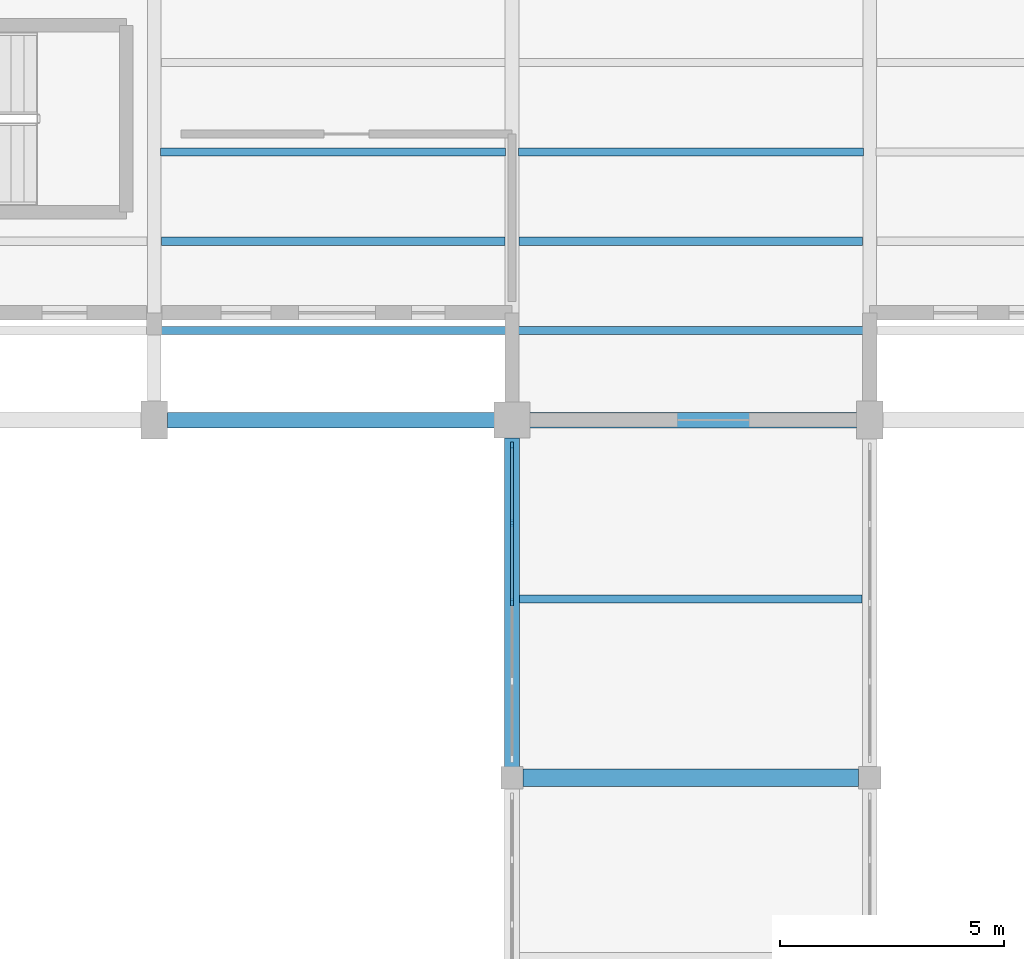
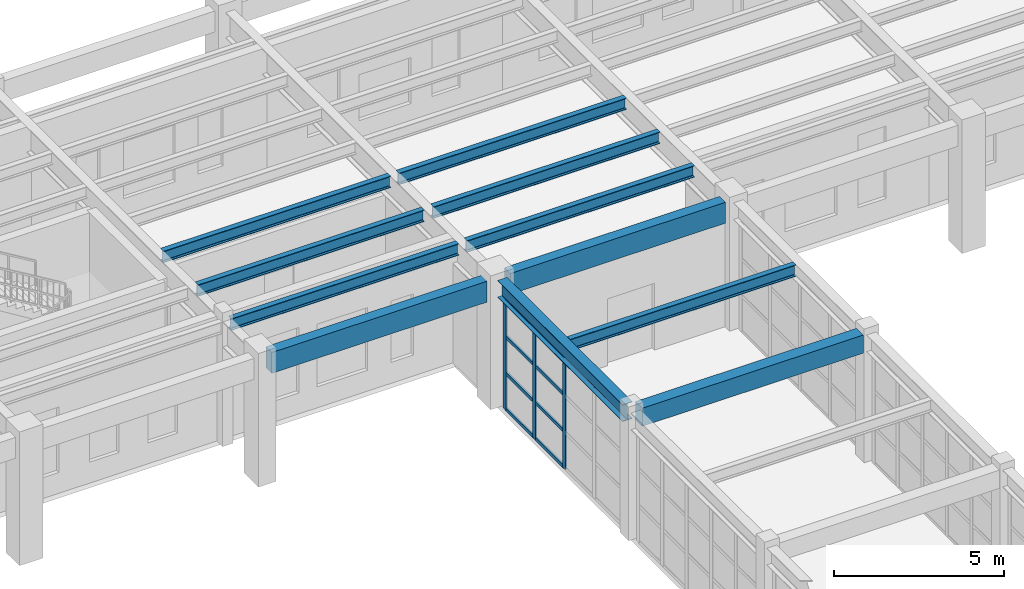
# One storey, part 15 of 59: 11 beams, 11 members, 1 element without a shape of its own.
"""IFC4 building model written with IfcOpenShell, lengths in metres."""

import ifcopenshell
import ifcopenshell.guid

model = None  # the IFC model being written
_history = None  # IfcOwnerHistory: only IFC2X3 demands one
_inside = {}  # id of a spatial element -> (the spatial element, [elements in it])
_under = {}  # id of a project, library or spatial element -> (it, [spatial elements below it])
_declared = {}  # id of a project -> (the project, [libraries it declares])
_typed = {}  # id of a type object -> (the type object, [elements of that type])
_made_of = {}  # id of a material, layer set ... -> (it, [elements and type objects made of it])


def new_model(schema):
    """Start an empty IFC model of exactly this schema.

    Asked for "IFC4X3", IfcOpenShell would pick the latest addendum, in which some entities
    have other attributes; the version numbers below select the first issue.
    IFC2X3 requires an IfcOwnerHistory on every rooted entity: one is made here for all.
    """
    global model, _history
    if schema == "IFC4X3":
        model = ifcopenshell.file(schema_version=(4, 3, 0, 0))
    else:
        model = ifcopenshell.file(schema=schema)
    _inside.clear()
    _under.clear()
    _declared.clear()
    _typed.clear()
    _made_of.clear()
    _history = None
    if model.schema == "IFC2X3":
        org = make("IfcOrganization", Name="unknown")
        user = make(
            "IfcPersonAndOrganization",
            ThePerson=make("IfcPerson", FamilyName="unknown"),
            TheOrganization=org,
        )
        app = make(
            "IfcApplication",
            ApplicationDeveloper=org,
            Version="unknown",
            ApplicationFullName="unknown",
            ApplicationIdentifier="unknown",
        )
        _history = make(
            "IfcOwnerHistory",
            OwningUser=user,
            OwningApplication=app,
            ChangeAction="ADDED",
            CreationDate=0,
        )
    return model


def make(cls, **values):
    """One entity of the class cls with the attributes given. An attribute that is None is left unset."""
    return model.create_entity(
        cls, **{name: value for name, value in values.items() if value is not None}
    )


def rooted(cls, **values):
    """An entity with a GlobalId (a new one), such as an element, a storey or a relation."""
    return make(cls, GlobalId=ifcopenshell.guid.new(), OwnerHistory=_history, **values)


def si_unit(unit_type, name, prefix=None):
    """IfcSIUnit, for example si_unit("LENGTHUNIT", "METRE", prefix="MILLI")."""
    return make("IfcSIUnit", UnitType=unit_type, Prefix=prefix, Name=name)


def assignment(units):
    """IfcUnitAssignment: the units of a project."""
    return None if units is None else make("IfcUnitAssignment", Units=units)


def point(xyz):
    """IfcCartesianPoint."""
    return None if xyz is None else make("IfcCartesianPoint", Coordinates=xyz)


def direction(xyz):
    """IfcDirection."""
    return None if xyz is None else make("IfcDirection", DirectionRatios=xyz)


def frame(location, z_axis=None, x_axis=None):
    """IfcAxis2Placement3D, a coordinate frame: its origin and axes. An axis left out is left unset."""
    return make(
        "IfcAxis2Placement3D",
        Location=point(location),
        Axis=direction(z_axis),
        RefDirection=direction(x_axis),
    )


def frame_2d(location, x_axis=None):
    """IfcAxis2Placement2D, a coordinate frame in the plane: its origin and x axis."""
    return make(
        "IfcAxis2Placement2D", Location=point(location), RefDirection=direction(x_axis)
    )


def origin():
    """The frame at (0, 0, 0) with its axes left unset."""
    return frame((0.0, 0.0, 0.0))


def origin_2d():
    """The frame at (0, 0) in the plane with its x axis left unset."""
    return frame_2d((0.0, 0.0))


def place(relative_to, where):
    """IfcLocalPlacement: puts the frame where relative to a parent placement (None: the world)."""
    return make(
        "IfcLocalPlacement", PlacementRelTo=relative_to, RelativePlacement=where
    )


def context(
    kind, dimensions, precision=None, world=None, true_north=None, identifier=None
):
    """IfcGeometricRepresentationContext, for example the 3D "Model" context."""
    return make(
        "IfcGeometricRepresentationContext",
        ContextIdentifier=identifier,
        ContextType=kind,
        CoordinateSpaceDimension=dimensions,
        Precision=precision,
        WorldCoordinateSystem=world,
        TrueNorth=true_north,
    )


def subcontext(parent, identifier, kind, view, scale=None):
    """IfcGeometricRepresentationSubContext, for example "Body" below "Model"."""
    return make(
        "IfcGeometricRepresentationSubContext",
        ContextIdentifier=identifier,
        ContextType=kind,
        ParentContext=parent,
        TargetScale=scale,
        TargetView=view,
    )


def project(units=None, contexts=None):
    """IfcProject with its units and contexts."""
    return rooted(
        "IfcProject",
        Name="project",
        RepresentationContexts=contexts,
        UnitsInContext=assignment(units),
    )


def spatial(cls, under=None, at=None, **own):
    """A site, building, storey or space (cls), placed at a placement, below another one or the project."""
    s = rooted(cls, ObjectPlacement=at, **own)
    if under is not None:
        _under.setdefault(under.id(), (under, []))[1].append(s)
    return s


def profile(cls, at=None, kind="AREA", **sizes):
    """A parametric profile (cls). Its sizes go by their IFC names, for example OverallWidth=200.0."""
    return make(cls, ProfileType=kind, Position=at, **sizes)


def rectangle(**sizes):
    """IfcRectangleProfileDef."""
    return profile("IfcRectangleProfileDef", **sizes)


def i_section(**sizes):
    """IfcIShapeProfileDef."""
    return profile("IfcIShapeProfileDef", **sizes)


def extrude(swept, where, along, depth):
    """IfcExtrudedAreaSolid: the profile swept, set in the frame where, extruded along a direction by depth."""
    return make(
        "IfcExtrudedAreaSolid",
        SweptArea=swept,
        Position=where,
        ExtrudedDirection=direction(along),
        Depth=depth,
    )


def shape(context_of_items, identifier, shape_type, items):
    """IfcShapeRepresentation: the items that make up one representation, for example the "Body"."""
    return make(
        "IfcShapeRepresentation",
        ContextOfItems=context_of_items,
        RepresentationIdentifier=identifier,
        RepresentationType=shape_type,
        Items=items,
    )


def material(Name=None, Category=None):
    """IfcMaterial."""
    return make("IfcMaterial", Name=Name, Category=Category)


def material_profile(
    of_material, cross_section, Name=None, Category=None, Priority=None
):
    """IfcMaterialProfile: a cross section and its material."""
    return make(
        "IfcMaterialProfile",
        Name=Name,
        Material=of_material,
        Profile=cross_section,
        Priority=Priority,
        Category=Category,
    )


def profile_set(profiles, Name=None, composite=None):
    """IfcMaterialProfileSet."""
    return make(
        "IfcMaterialProfileSet",
        Name=Name,
        MaterialProfiles=profiles,
        CompositeProfile=composite,
    )


def made_of(thing, what):
    """Note that an element or type object is made of a material, layer set ...; save() writes the relation."""
    if what is not None:
        _made_of.setdefault(what.id(), (what, []))[1].append(thing)
    return thing


def type_object(cls, material=None, **own):
    """A type object (cls), such as IfcWallType, which elements share."""
    return made_of(rooted(cls, **own), material)


def element(
    cls,
    number,
    at=None,
    inside=None,
    cuts=None,
    type_object=None,
    material=None,
    context=None,
    identifier="Body",
    shape_type=None,
    held_by="IfcProductDefinitionShape",
    body=None,
    shapes=None,
    **own,
):
    """One element of the class cls, such as IfcWall. Its Tag is "e" and its number.

    at: its placement. inside: the storey or other place that contains it. cuts: it is an
    opening in that element (IfcRelVoidsElement). A single representation is given by context,
    identifier, shape_type and body (its items); several are given by shapes. held_by: the class
    of the entity that holds the representations. save() writes the other relations.
    """
    e = rooted(cls, Tag="e%d" % number, ObjectPlacement=at, **own)
    if body is not None:
        shapes = [shape(context, identifier, shape_type, body)]
    if shapes is not None:
        e.Representation = make(held_by, Representations=shapes)
    if inside is not None:
        _inside.setdefault(inside.id(), (inside, []))[1].append(e)
    if cuts is not None:
        rooted(
            "IfcRelVoidsElement", RelatingBuildingElement=cuts, RelatedOpeningElement=e
        )
    if type_object is not None:
        _typed.setdefault(type_object.id(), (type_object, []))[1].append(e)
    return made_of(e, material)


def aggregate(whole, parts):
    """IfcRelAggregates: a whole, such as a stair, and the parts it consists of."""
    return rooted("IfcRelAggregates", RelatingObject=whole, RelatedObjects=parts)


def save(model, path):
    """Write the relations noted so far, then the file.

    IfcRelAggregates (storeys below a building ...), IfcRelContainedInSpatialStructure (elements
    in a storey), IfcRelDefinesByType, IfcRelAssociatesMaterial and IfcRelDeclares: one each for
    every whole, place, type object, material and project.
    """
    for whole, parts in _under.values():
        aggregate(whole, parts)
    for where, things in _inside.values():
        rooted(
            "IfcRelContainedInSpatialStructure",
            RelatedElements=things,
            RelatingStructure=where,
        )
    for kind, things in _typed.values():
        rooted("IfcRelDefinesByType", RelatedObjects=things, RelatingType=kind)
    for what, things in _made_of.values():
        rooted("IfcRelAssociatesMaterial", RelatedObjects=things, RelatingMaterial=what)
    for by, libraries in _declared.values():
        rooted("IfcRelDeclares", RelatingContext=by, RelatedDefinitions=libraries)
    model.write(path)


model = new_model("IFC4")

# Units and contexts
model_context = context("Model", 3, precision=1e-05, world=origin(), true_north=direction((0.0, 1.0)))
body_context = subcontext(model_context, "Body", "Model", "MODEL_VIEW")
ifc_project = project(units=[si_unit("LENGTHUNIT", "METRE"), si_unit("AREAUNIT", "SQUARE_METRE"), si_unit("VOLUMEUNIT", "CUBIC_METRE"), si_unit("PLANEANGLEUNIT", "RADIAN"), si_unit("MASSUNIT", "GRAM", prefix="KILO")], contexts=[model_context])

# Site, building, storey
site_placement = place(None, origin())
site = spatial("IfcSite", under=ifc_project, at=site_placement, CompositionType="ELEMENT")
building_placement = place(site_placement, origin())
building = spatial("IfcBuilding", under=site, at=building_placement, Name="Serraluz Foothill Cableway Terminal", CompositionType="ELEMENT")
storey_placement = place(building_placement, frame((0.0, 0.0, 4.800048828125)))
storey = spatial("IfcBuildingStorey", under=building, at=storey_placement, Name="L01", CompositionType="ELEMENT", Elevation=4.800048828125)

# Beams
ifc_material_1 = material(Name="Concrete C28/35 (f'c 28 MPa)", Category="concrete")
ifc_material_profile_1 = material_profile(ifc_material_1, rectangle(XDim=0.39990234375, YDim=0.64990234375, at=origin_2d()), Name="RC 400x650")
ifc_profile_set_1 = profile_set([ifc_material_profile_1], Name="Concrete C28/35 (f'c 28 MPa)")
beam_type_1 = type_object("IfcBeamType", Name="TYP-BM-RC400X650", PredefinedType="BEAM", material=ifc_profile_set_1)
beam_1_placement = place(storey_placement, frame((120.24609375, 48.0, 4.23486328125), z_axis=(1.0, 0.0, 0.0), x_axis=(0.0, 1.0, 0.0)))
element("IfcBeam", 1, at=beam_1_placement, inside=storey, type_object=beam_type_1, Name="Primary Girder BM-X-L01-0197", PredefinedType="BEAM", context=body_context, shape_type="SweptSolid", body=[
    extrude(rectangle(XDim=0.39990234375, YDim=0.64990234375, at=origin_2d()), origin(), (0.0, 0.0, 1.0), 7.5078125),
])
ifc_material_2 = material(Name="Steel ASTM A992 Grade 50", Category="steel")
ifc_material_profile_2 = material_profile(ifc_material_2, i_section(OverallWidth=0.324951171875, OverallDepth=0.615966796875, WebThickness=0.013916015625, FlangeThickness=0.021484375, FilletRadius=0.01806640625, at=origin_2d()), Name="W24X117")
ifc_profile_set_2 = profile_set([ifc_material_profile_2], Name="Steel ASTM A992 Grade 50")
beam_type_2 = type_object("IfcBeamType", Name="TYP-BM-W24X117", PredefinedType="BEAM", material=ifc_profile_set_2)
beam_2_placement = place(storey_placement, frame((120.0, 48.24609375, 4.251953125), z_axis=(0.0, 1.0, 0.0), x_axis=(-1.0, 0.0, 0.0)))
element("IfcBeam", 2, at=beam_2_placement, inside=storey, type_object=beam_type_2, Name="Transverse Girder BM-Y-L01-0279", PredefinedType="BEAM", context=body_context, shape_type="SweptSolid", body=[
    extrude(i_section(OverallWidth=0.324951171875, OverallDepth=0.615966796875, WebThickness=0.013916015625, FlangeThickness=0.021484375, FilletRadius=0.01806640625, at=origin_2d()), origin(), (0.0, 0.0, 1.0), 7.35791015625),
])

# Curtain wall, members
ifc_material_3 = material(Name="Architectural bronze alloy C28000", Category="aluminium")
curtain_wall_type = type_object("IfcCurtainWallType", Name="TYP-CW-710X420", PredefinedType="NOTDEFINED", material=ifc_material_3)
curtain_wall_placement = place(storey_placement, origin())
curtain_wall = element("IfcCurtainWall", 3, at=curtain_wall_placement, inside=storey, type_object=curtain_wall_type, Name="Ribbed Glazed Curtain Wall CW-CLW-L01-48", PredefinedType="NOTDEFINED")
ifc_material_profile_3 = material_profile(ifc_material_3, rectangle(XDim=0.06005859375, YDim=0.159912109375, at=origin_2d()), Name="ALU MULLION 60x160")
ifc_profile_set_3 = profile_set([ifc_material_profile_3], Name="Architectural bronze alloy C28000")
member_type_1 = type_object("IfcMemberType", Name="TYP-CW-MUL-60X160", PredefinedType="MULLION", material=ifc_profile_set_3)
member_1_placement = place(storey_placement, frame((120.0, 51.925048828125, 0.0), z_axis=(0.0, 0.0, 1.0), x_axis=(-1.0, 0.0, 0.0)))
member_1 = element("IfcMember", 4, at=member_1_placement, type_object=member_type_1, Name="CW-01 mullion 3", PredefinedType="MULLION", context=body_context, shape_type="SweptSolid", body=[
    extrude(rectangle(XDim=0.06005859375, YDim=0.159912109375, at=origin_2d()), origin(), (0.0, 0.0, 1.0), 3.94384765625),
])
member_2_placement = place(storey_placement, frame((120.0, 53.6923828125, 0.0), z_axis=(0.0, 0.0, 1.0), x_axis=(-1.0, 0.0, 0.0)))
member_2 = element("IfcMember", 5, at=member_2_placement, type_object=member_type_1, Name="CW-01 mullion 4", PredefinedType="MULLION", context=body_context, shape_type="SweptSolid", body=[
    extrude(rectangle(XDim=0.06005859375, YDim=0.159912109375, at=origin_2d()), origin(), (0.0, 0.0, 1.0), 3.94384765625),
])
member_3_placement = place(storey_placement, frame((120.0, 55.429931640625, 0.0), z_axis=(0.0, 0.0, 1.0), x_axis=(-1.0, 0.0, 0.0)))
member_3 = element("IfcMember", 6, at=member_3_placement, type_object=member_type_1, Name="CW-01 mullion 5", PredefinedType="MULLION", context=body_context, shape_type="SweptSolid", body=[
    extrude(rectangle(XDim=0.06005859375, YDim=0.159912109375, at=origin_2d()), origin(), (0.0, 0.0, 1.0), 3.94384765625),
])
ifc_material_profile_4 = material_profile(ifc_material_3, rectangle(XDim=0.06005859375, YDim=0.1201171875, at=origin_2d()), Name="ALU TRANSOM 60x120")
ifc_profile_set_4 = profile_set([ifc_material_profile_4], Name="Architectural bronze alloy C28000")
member_type_2 = type_object("IfcMemberType", Name="TYP-CW-TRN-60X120", PredefinedType="USERDEFINED", material=ifc_profile_set_4)
member_4_placement = place(storey_placement, frame((120.0, 51.955078125, 0.030029296875), z_axis=(0.0, 1.0, 0.0), x_axis=(-1.0, 0.0, 0.0)))
member_4 = element("IfcMember", 7, at=member_4_placement, type_object=member_type_2, Name="CW-01 transom 3.1", ObjectType="TRANSOM", PredefinedType="USERDEFINED", context=body_context, shape_type="SweptSolid", body=[
    extrude(rectangle(XDim=0.06005859375, YDim=0.1201171875, at=origin_2d()), origin(), (0.0, 0.0, 1.0), 1.70751953125),
])
member_5_placement = place(storey_placement, frame((120.0, 51.955078125, 1.314697265625), z_axis=(0.0, 1.0, 0.0), x_axis=(-1.0, 0.0, 0.0)))
member_5 = element("IfcMember", 8, at=member_5_placement, type_object=member_type_2, Name="CW-01 transom 3.2", ObjectType="TRANSOM", PredefinedType="USERDEFINED", context=body_context, shape_type="SweptSolid", body=[
    extrude(rectangle(XDim=0.06005859375, YDim=0.1201171875, at=origin_2d()), origin(), (0.0, 0.0, 1.0), 1.70751953125),
])
member_6_placement = place(storey_placement, frame((120.0, 51.955078125, 2.629150390625), z_axis=(0.0, 1.0, 0.0), x_axis=(-1.0, 0.0, 0.0)))
member_6 = element("IfcMember", 9, at=member_6_placement, type_object=member_type_2, Name="CW-01 transom 3.3", ObjectType="TRANSOM", PredefinedType="USERDEFINED", context=body_context, shape_type="SweptSolid", body=[
    extrude(rectangle(XDim=0.06005859375, YDim=0.1201171875, at=origin_2d()), origin(), (0.0, 0.0, 1.0), 1.70751953125),
])
member_7_placement = place(storey_placement, frame((120.0, 51.955078125, 3.9140625), z_axis=(0.0, 1.0, 0.0), x_axis=(-1.0, 0.0, 0.0)))
member_7 = element("IfcMember", 10, at=member_7_placement, type_object=member_type_2, Name="CW-01 transom 3.4", ObjectType="TRANSOM", PredefinedType="USERDEFINED", context=body_context, shape_type="SweptSolid", body=[
    extrude(rectangle(XDim=0.06005859375, YDim=0.1201171875, at=origin_2d()), origin(), (0.0, 0.0, 1.0), 1.70751953125),
])
member_8_placement = place(storey_placement, frame((120.0, 53.722412109375, 0.030029296875), z_axis=(0.0, 1.0, 0.0), x_axis=(-1.0, 0.0, 0.0)))
member_8 = element("IfcMember", 11, at=member_8_placement, type_object=member_type_2, Name="CW-01 transom 4.1", ObjectType="TRANSOM", PredefinedType="USERDEFINED", context=body_context, shape_type="SweptSolid", body=[
    extrude(rectangle(XDim=0.06005859375, YDim=0.1201171875, at=origin_2d()), origin(), (0.0, 0.0, 1.0), 1.677490234375),
])
member_9_placement = place(storey_placement, frame((120.0, 53.722412109375, 1.314697265625), z_axis=(0.0, 1.0, 0.0), x_axis=(-1.0, 0.0, 0.0)))
member_9 = element("IfcMember", 12, at=member_9_placement, type_object=member_type_2, Name="CW-01 transom 4.2", ObjectType="TRANSOM", PredefinedType="USERDEFINED", context=body_context, shape_type="SweptSolid", body=[
    extrude(rectangle(XDim=0.06005859375, YDim=0.1201171875, at=origin_2d()), origin(), (0.0, 0.0, 1.0), 1.677490234375),
])
member_10_placement = place(storey_placement, frame((120.0, 53.722412109375, 2.629150390625), z_axis=(0.0, 1.0, 0.0), x_axis=(-1.0, 0.0, 0.0)))
member_10 = element("IfcMember", 13, at=member_10_placement, type_object=member_type_2, Name="CW-01 transom 4.3", ObjectType="TRANSOM", PredefinedType="USERDEFINED", context=body_context, shape_type="SweptSolid", body=[
    extrude(rectangle(XDim=0.06005859375, YDim=0.1201171875, at=origin_2d()), origin(), (0.0, 0.0, 1.0), 1.677490234375),
])
member_11_placement = place(storey_placement, frame((120.0, 53.722412109375, 3.9140625), z_axis=(0.0, 1.0, 0.0), x_axis=(-1.0, 0.0, 0.0)))
member_11 = element("IfcMember", 14, at=member_11_placement, type_object=member_type_2, Name="CW-01 transom 4.4", ObjectType="TRANSOM", PredefinedType="USERDEFINED", context=body_context, shape_type="SweptSolid", body=[
    extrude(rectangle(XDim=0.06005859375, YDim=0.1201171875, at=origin_2d()), origin(), (0.0, 0.0, 1.0), 1.677490234375),
])
aggregate(curtain_wall, [member_1, member_2, member_3, member_4, member_5, member_6, member_7, member_8, member_9, member_10, member_11])

# Beams
ifc_material_profile_5 = material_profile(ifc_material_2, i_section(OverallWidth=0.180908203125, OverallDepth=0.4169921875, WebThickness=0.010986328125, FlangeThickness=0.018310546875, FilletRadius=0.013916015625, at=origin_2d()), Name="W16X57")
ifc_profile_set_5 = profile_set([ifc_material_profile_5], Name="Steel ASTM A992 Grade 50")
beam_type_3 = type_object("IfcBeamType", Name="TYP-JS-W16X57", PredefinedType="JOIST", material=ifc_profile_set_5)
beam_3_placement = place(storey_placement, frame((112.158935546875, 60.0, 4.266357421875), z_axis=(1.0, 0.0, 0.0), x_axis=(0.0, 1.0, 0.0)))
element("IfcBeam", 15, at=beam_3_placement, inside=storey, type_object=beam_type_3, Name="Secondary Floor Joist JS-L01-0098", PredefinedType="JOIST", context=body_context, shape_type="SweptSolid", body=[
    extrude(i_section(OverallWidth=0.180908203125, OverallDepth=0.4169921875, WebThickness=0.010986328125, FlangeThickness=0.018310546875, FilletRadius=0.013916015625, at=origin_2d()), origin(), (0.0, 0.0, 1.0), 7.68212890625),
])
beam_4_placement = place(storey_placement, frame((120.16748046875, 52.0, 4.3515625), z_axis=(1.0, 0.0, 0.0), x_axis=(0.0, 1.0, 0.0)))
element("IfcBeam", 16, at=beam_4_placement, inside=storey, type_object=beam_type_3, Name="Secondary Floor Joist JS-L01-0108", PredefinedType="JOIST", context=body_context, shape_type="SweptSolid", body=[
    extrude(i_section(OverallWidth=0.180908203125, OverallDepth=0.4169921875, WebThickness=0.010986328125, FlangeThickness=0.018310546875, FilletRadius=0.013916015625, at=origin_2d()), origin(), (0.0, 0.0, 1.0), 7.6650390625),
])
beam_5_placement = place(storey_placement, frame((120.158935546875, 60.0, 4.266357421875), z_axis=(1.0, 0.0, 0.0), x_axis=(0.0, 1.0, 0.0)))
element("IfcBeam", 17, at=beam_5_placement, inside=storey, type_object=beam_type_3, Name="Secondary Floor Joist JS-L01-0109", PredefinedType="JOIST", context=body_context, shape_type="SweptSolid", body=[
    extrude(i_section(OverallWidth=0.180908203125, OverallDepth=0.4169921875, WebThickness=0.010986328125, FlangeThickness=0.018310546875, FilletRadius=0.013916015625, at=origin_2d()), origin(), (0.0, 0.0, 1.0), 7.68212890625),
])
for number, where, z_axis, x_axis, name in (
    (18, (112.139892578125, 58.0, 4.266357421875), (1.0, 0.0, 0.0), (0.0, 1.0, 0.0), "Composite Deck Joist L01-050"),
    (19, (112.139892578125, 62.0, 4.266357421875), (1.0, 0.0, 0.0), (0.0, 1.0, 0.0), "Composite Deck Joist L01-051"),
    (20, (120.139892578125, 58.0, 4.266357421875), (1.0, 0.0, 0.0), (0.0, 1.0, 0.0), "Composite Deck Joist L01-054"),
    (21, (120.139892578125, 62.0, 4.266357421875), (1.0, 0.0, 0.0), (0.0, 1.0, 0.0), "Composite Deck Joist L01-055"),
):
    element("IfcBeam", number, at=place(storey_placement, frame(where, z_axis=z_axis, x_axis=x_axis)), inside=storey, type_object=beam_type_3, Name=name, PredefinedType="JOIST", context=body_context, shape_type="SweptSolid", body=[
        extrude(i_section(OverallWidth=0.180908203125, OverallDepth=0.4169921875, WebThickness=0.010986328125, FlangeThickness=0.018310546875, FilletRadius=0.013916015625, at=origin_2d()), origin(), (0.0, 0.0, 1.0), 7.72021484375),
    ])
ifc_material_4 = material(Name="Precast concrete C40/50", Category="concrete")
ifc_material_profile_6 = material_profile(ifc_material_4, rectangle(XDim=0.35009765625, YDim=0.75, at=origin_2d()), Name="RC SP 350x750")
ifc_profile_set_6 = profile_set([ifc_material_profile_6], Name="Precast concrete C40/50")
beam_type_4 = type_object("IfcBeamType", Name="TYP-SP-RC350X750", PredefinedType="SPANDREL", material=ifc_profile_set_6)
for number, where, z_axis, x_axis, name in (
    (22, (112.2958984375, 56.0, 4.099853515625), (1.0, 0.0, 0.0), (0.0, 1.0, 0.0), "Primary Girder BM-X-L01-0210"),
    (23, (120.39599609375, 56.0, 4.099853515625), (1.0, 0.0, 0.0), (0.0, 1.0, 0.0), "Primary Girder BM-X-L01-0211"),
):
    element("IfcBeam", number, at=place(storey_placement, frame(where, z_axis=z_axis, x_axis=x_axis)), inside=storey, type_object=beam_type_4, Name=name, PredefinedType="SPANDREL", context=body_context, shape_type="SweptSolid", body=[
        extrude(rectangle(XDim=0.35009765625, YDim=0.75, at=origin_2d()), origin(), (0.0, 0.0, 1.0), 7.30810546875),
    ])

save(model, "model.ifc")
